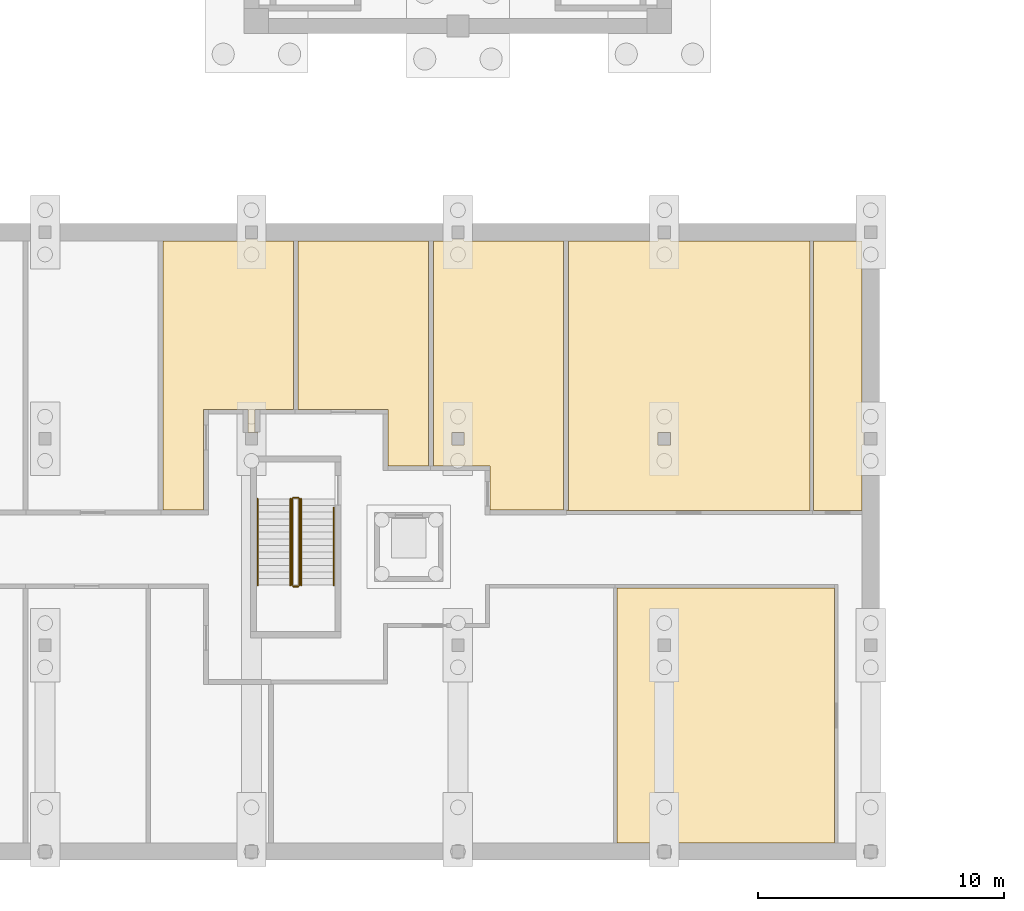
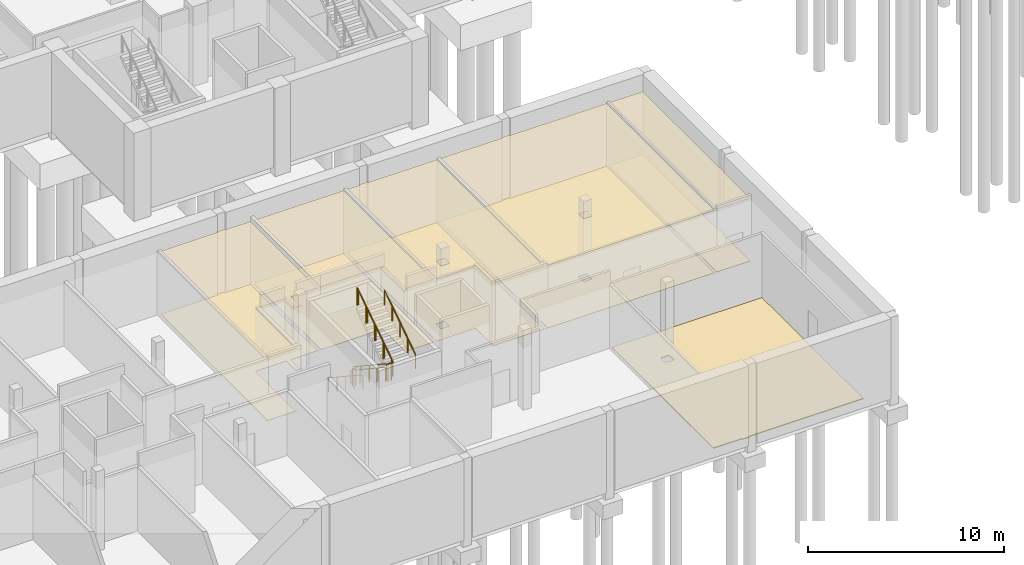
# One storey, part 21 of 33: 11 coverings, 8 railings.
"""IFC4 building model written with IfcOpenShell, lengths in metres."""

from ifc_helpers import new_model, si_unit, direction, frame, origin, origin_2d, place, context, subcontext, project, spatial, polyline, circle, outline, extrude, material, layer, layer_set, type_object, element, save


model = new_model("IFC4")

# Units and contexts
model_context = context("Model", 3, precision=1e-05, world=origin(), true_north=direction((0.0, 1.0)))
body_context = subcontext(model_context, "Body", "Model", "MODEL_VIEW")
ifc_project = project(units=[si_unit("LENGTHUNIT", "METRE"), si_unit("AREAUNIT", "SQUARE_METRE"), si_unit("VOLUMEUNIT", "CUBIC_METRE"), si_unit("PLANEANGLEUNIT", "RADIAN"), si_unit("MASSUNIT", "GRAM", prefix="KILO")], contexts=[model_context])

# Site, building, storey
site_placement = place(None, origin())
site = spatial("IfcSite", under=ifc_project, at=site_placement, CompositionType="ELEMENT")
building_placement = place(site_placement, origin())
building = spatial("IfcBuilding", under=site, at=building_placement, Name="Larchfold Concert Hall", CompositionType="ELEMENT")
storey_placement = place(building_placement, frame((0.0, 0.0, -5.0)))
storey = spatial("IfcBuildingStorey", under=building, at=storey_placement, Name="B1", CompositionType="ELEMENT", Elevation=-5.0)

# Coverings
ifc_material_1 = material(Name="Mineral fibre ceiling tile")
ifc_layer_1 = layer(ifc_material_1, 0.02001953125)
ifc_layer_set_1 = layer_set([ifc_layer_1], Name="Mineral fibre ceiling tile")
covering_type_1 = type_object("IfcCoveringType", Name="Ceiling mineral fibre tile 20", PredefinedType="CEILING", material=ifc_layer_set_1)
covering_1_placement = place(storey_placement, frame((0.0, 0.0, 3.920166015625)))
element("IfcCovering", 1, at=covering_1_placement, inside=storey, type_object=covering_type_1, Name="Ceiling Instrument Store", PredefinedType="CEILING", context=body_context, shape_type="SweptSolid", body=[
    extrude(outline(polyline([(47.0, 14.5), (47.02001953125, 14.4990234375), (47.02001953125, 14.473876953125), (57.0, 14.474853515625), (56.925048828125, 14.47509765625), (56.925048828125, 25.449951171875), (51.25, 25.449951171875), (51.25, 25.5), (50.75, 25.5), (50.75, 25.449951171875), (47.10009765625, 25.449951171875), (47.10009765625, 14.5), (47.0, 14.5)]), holes=[polyline([(50.75, 17.64990234375), (51.25, 17.64990234375), (51.25, 17.14990234375), (50.75, 17.14990234375), (50.75, 17.64990234375)])]), origin(), (0.0, 0.0, 1.0), 0.02001953125),
])
covering_2_placement = place(storey_placement, frame((0.0, 0.0, 3.920166015625)))
element("IfcCovering", 2, at=covering_2_placement, inside=storey, type_object=covering_type_1, Name="Ceiling Music Library Store", PredefinedType="CEILING", context=body_context, shape_type="SweptSolid", body=[
    extrude(outline(polyline([(57.0, 14.47509765625), (59.0498046875, 14.474853515625), (59.0498046875, 17.14990234375), (59.099853515625, 17.14990234375), (59.099853515625, 17.64990234375), (59.0498046875, 17.64990234375), (59.0498046875, 25.449951171875), (57.074951171875, 25.449951171875), (57.074951171875, 14.47509765625), (57.0, 14.47509765625)])), origin(), (0.0, 0.0, 1.0), 0.02001953125),
])
ifc_material_2 = material(Name="Plasterboard ceiling lining")
ifc_layer_2 = layer(ifc_material_2, 0.030029296875)
ifc_layer_set_2 = layer_set([ifc_layer_2], Name="Plasterboard ceiling lining")
covering_type_2 = type_object("IfcCoveringType", Name="Ceiling suspended plasterboard 30", PredefinedType="CEILING", material=ifc_layer_set_2)
covering_3_placement = place(storey_placement, frame((0.0, 0.0, 3.91015625)))
element("IfcCovering", 3, at=covering_3_placement, inside=storey, type_object=covering_type_2, Name="Ceiling Practice Room 14", PredefinedType="CEILING", context=body_context, shape_type="SweptSolid", body=[
    extrude(outline(polyline([(41.5, 16.300048828125), (43.89892578125, 16.299072265625), (43.908935546875, 14.41357421875), (43.908935546875, 14.4990234375), (47.0, 14.4990234375), (46.89990234375, 14.5), (46.89990234375, 25.449951171875), (42.85009765625, 25.449951171875), (42.85009765625, 25.5), (42.35009765625, 25.5), (42.35009765625, 25.449951171875), (41.60009765625, 25.449951171875), (41.60009765625, 16.300048828125), (41.5, 16.300048828125)]), holes=[polyline([(42.35009765625, 17.64990234375), (42.85009765625, 17.64990234375), (42.85009765625, 17.14990234375), (42.35009765625, 17.14990234375), (42.35009765625, 17.64990234375)])]), origin(), (0.0, 0.0, 1.0), 0.030029296875),
])
covering_4_placement = place(storey_placement, frame((0.0, 0.0, 3.91015625)))
element("IfcCovering", 4, at=covering_4_placement, inside=storey, type_object=covering_type_2, Name="Ceiling Practice Room 13", PredefinedType="CEILING", context=body_context, shape_type="SweptSolid", body=[
    extrude(outline(polyline([(36.0, 18.59912109375), (39.7490234375, 18.59912109375), (39.7529296875, 16.199951171875), (39.7529296875, 16.301025390625), (41.39990234375, 16.300048828125), (41.39990234375, 25.449951171875), (36.10009765625, 25.449951171875), (36.10009765625, 18.60009765625), (36.0, 18.59912109375)])), origin(), (0.0, 0.0, 1.0), 0.030029296875),
])
covering_5_placement = place(storey_placement, frame((0.0, 0.0, 3.91015625)))
element("IfcCovering", 5, at=covering_5_placement, inside=storey, type_object=covering_type_2, Name="Ceiling Practice Room 12", PredefinedType="CEILING", context=body_context, shape_type="SweptSolid", body=[
    extrude(outline(polyline([(30.5, 14.4990234375), (32.349853515625, 14.4990234375), (32.2412109375, 14.499267578125), (32.251220703125, 18.599365234375), (34.06005859375, 18.59912109375), (34.06005859375, 17.64990234375), (34.449951171875, 17.64990234375), (34.449951171875, 17.61669921875), (34.46337890625, 17.625), (34.463623046875, 17.669921875), (34.337890625, 17.670166015625), (34.340087890625, 18.599365234375), (36.0, 18.59912109375), (35.89990234375, 18.60009765625), (35.89990234375, 25.449951171875), (34.449951171875, 25.449951171875), (34.449951171875, 25.5), (33.949951171875, 25.5), (33.949951171875, 25.449951171875), (30.60009765625, 25.449951171875), (30.60009765625, 14.5), (30.5, 14.4990234375)])), origin(), (0.0, 0.0, 1.0), 0.030029296875),
])
ifc_material_3 = material(Name="Sealed cement screed")
ifc_layer_3 = layer(ifc_material_3, 0.050048828125)
ifc_layer_set_3 = layer_set([ifc_layer_3], Name="Sealed cement screed")
covering_type_3 = type_object("IfcCoveringType", Name="Floor finish sealed screed 50", PredefinedType="FLOORING", material=ifc_layer_set_3)
covering_6_placement = place(storey_placement, origin())
element("IfcCovering", 6, at=covering_6_placement, inside=storey, type_object=covering_type_3, Name="Floor finish Street Wing Plant Room", PredefinedType="FLOORING", context=body_context, shape_type="SweptSolid", body=[
    extrude(outline(polyline([(50.75, 0.900146484375), (51.25, 0.900146484375), (51.25, 0.9501953125), (57.925048828125, 0.9501953125), (57.925048828125, 11.324951171875), (49.074951171875, 11.324951171875), (49.074951171875, 0.9501953125), (50.75, 0.9501953125), (50.75, 0.900146484375)]), holes=[polyline([(51.25, 9.25), (51.25, 8.75), (50.75, 8.75), (50.75, 9.25), (51.25, 9.25)])]), origin(), (0.0, 0.0, 1.0), 0.050048828125),
])
ifc_material_4 = material(Name="Linoleum sheet")
ifc_layer_4 = layer(ifc_material_4, 0.02001953125)
ifc_layer_set_4 = layer_set([ifc_layer_4], Name="Linoleum sheet")
covering_type_4 = type_object("IfcCoveringType", Name="Floor finish vinyl 20", PredefinedType="FLOORING", material=ifc_layer_set_4)
covering_7_placement = place(storey_placement, origin())
element("IfcCovering", 7, at=covering_7_placement, inside=storey, type_object=covering_type_4, Name="Floor finish Practice Room 14", PredefinedType="FLOORING", context=body_context, shape_type="SweptSolid", body=[
    extrude(outline(polyline([(41.5, 16.300048828125), (43.89892578125, 16.299072265625), (43.908935546875, 14.41357421875), (43.908935546875, 14.4990234375), (47.0, 14.4990234375), (46.89990234375, 14.5), (46.89990234375, 25.449951171875), (42.85009765625, 25.449951171875), (42.85009765625, 25.5), (42.35009765625, 25.5), (42.35009765625, 25.449951171875), (41.60009765625, 25.449951171875), (41.60009765625, 16.300048828125), (41.5, 16.300048828125)]), holes=[polyline([(42.35009765625, 17.64990234375), (42.85009765625, 17.64990234375), (42.85009765625, 17.14990234375), (42.35009765625, 17.14990234375), (42.35009765625, 17.64990234375)])]), origin(), (0.0, 0.0, 1.0), 0.02001953125),
])
covering_8_placement = place(storey_placement, origin())
element("IfcCovering", 8, at=covering_8_placement, inside=storey, type_object=covering_type_4, Name="Floor finish Instrument Store", PredefinedType="FLOORING", context=body_context, shape_type="SweptSolid", body=[
    extrude(outline(polyline([(47.0, 14.5), (47.02001953125, 14.4990234375), (47.02001953125, 14.473876953125), (57.0, 14.474853515625), (56.925048828125, 14.47509765625), (56.925048828125, 25.449951171875), (51.25, 25.449951171875), (51.25, 25.5), (50.75, 25.5), (50.75, 25.449951171875), (47.10009765625, 25.449951171875), (47.10009765625, 14.5), (47.0, 14.5)]), holes=[polyline([(50.75, 17.64990234375), (51.25, 17.64990234375), (51.25, 17.14990234375), (50.75, 17.14990234375), (50.75, 17.64990234375)])]), origin(), (0.0, 0.0, 1.0), 0.02001953125),
])
covering_9_placement = place(storey_placement, origin())
element("IfcCovering", 9, at=covering_9_placement, inside=storey, type_object=covering_type_4, Name="Floor finish Practice Room 13", PredefinedType="FLOORING", context=body_context, shape_type="SweptSolid", body=[
    extrude(outline(polyline([(36.0, 18.59912109375), (39.7490234375, 18.59912109375), (39.7529296875, 16.199951171875), (39.7529296875, 16.301025390625), (41.39990234375, 16.300048828125), (41.39990234375, 25.449951171875), (36.10009765625, 25.449951171875), (36.10009765625, 18.60009765625), (36.0, 18.59912109375)])), origin(), (0.0, 0.0, 1.0), 0.02001953125),
])
covering_10_placement = place(storey_placement, origin())
element("IfcCovering", 10, at=covering_10_placement, inside=storey, type_object=covering_type_4, Name="Floor finish Practice Room 12", PredefinedType="FLOORING", context=body_context, shape_type="SweptSolid", body=[
    extrude(outline(polyline([(30.5, 14.4990234375), (32.349853515625, 14.4990234375), (32.2412109375, 14.499267578125), (32.251220703125, 18.599365234375), (34.06005859375, 18.59912109375), (34.06005859375, 17.64990234375), (34.449951171875, 17.64990234375), (34.449951171875, 17.61669921875), (34.46337890625, 17.625), (34.463623046875, 17.669921875), (34.337890625, 17.670166015625), (34.340087890625, 18.599365234375), (36.0, 18.59912109375), (35.89990234375, 18.60009765625), (35.89990234375, 25.449951171875), (34.449951171875, 25.449951171875), (34.449951171875, 25.5), (33.949951171875, 25.5), (33.949951171875, 25.449951171875), (30.60009765625, 25.449951171875), (30.60009765625, 14.5), (30.5, 14.4990234375)])), origin(), (0.0, 0.0, 1.0), 0.02001953125),
])
covering_11_placement = place(storey_placement, origin())
element("IfcCovering", 11, at=covering_11_placement, inside=storey, type_object=covering_type_4, Name="Floor finish Music Library Store", PredefinedType="FLOORING", context=body_context, shape_type="SweptSolid", body=[
    extrude(outline(polyline([(57.0, 14.47509765625), (59.0498046875, 14.474853515625), (59.0498046875, 17.14990234375), (59.099853515625, 17.14990234375), (59.099853515625, 17.64990234375), (59.0498046875, 17.64990234375), (59.0498046875, 25.449951171875), (57.074951171875, 25.449951171875), (57.074951171875, 14.47509765625), (57.0, 14.47509765625)])), origin(), (0.0, 0.0, 1.0), 0.02001953125),
])

# Railings
ifc_material_5 = material(Name="Stainless steel balustrade", Category="steel")
railing_type_1 = type_object("IfcRailingType", Name="Stair guard 1100", PredefinedType="GUARDRAIL", material=ifc_material_5)
railing_1_placement = place(storey_placement, frame((35.849853515625, 14.949951171875, 0.178466796875)))
element("IfcRailing", 12, at=railing_1_placement, inside=storey, type_object=railing_type_1, Name="Guard GR0049", PredefinedType="GUARDRAIL", context=body_context, shape_type="SweptSolid", body=[
    extrude(circle(Radius=0.02392578125, at=origin_2d()), frame((0.0, 0.0, 1.076171875), z_axis=(0.0, -0.834070780157, 0.551657442339), x_axis=(1.0, 0.0, 0.0)), (0.0, 0.0, 1.0), 4.208251953125),
    extrude(circle(Radius=0.02099609375, at=origin_2d()), origin(), (0.0, 0.0, 1.0), 1.052001953125),
    extrude(circle(Radius=0.02099609375, at=origin_2d()), frame((0.0, -0.87744140625, 0.580322265625)), (0.0, 0.0, 1.0), 1.052001953125),
    extrude(circle(Radius=0.02099609375, at=origin_2d()), frame((0.0, -1.7548828125, 1.16064453125)), (0.0, 0.0, 1.0), 1.052001953125),
    extrude(circle(Radius=0.02099609375, at=origin_2d()), frame((0.0, -2.632568359375, 1.7412109375)), (0.0, 0.0, 1.0), 1.052001953125),
    extrude(circle(Radius=0.02099609375, at=origin_2d()), frame((0.0, -3.510009765625, 2.321533203125)), (0.0, 0.0, 1.0), 1.052001953125),
])
railing_2_placement = place(storey_placement, frame((35.89990234375, 11.389892578125, 2.5)))
element("IfcRailing", 13, at=railing_2_placement, inside=storey, type_object=railing_type_1, Name="Guard GR0050", PredefinedType="GUARDRAIL", context=body_context, shape_type="SweptSolid", body=[
    extrude(circle(Radius=0.02392578125, at=origin_2d()), frame((0.0, 0.0, 1.076171875), z_axis=(1.0, 0.0, 0.0), x_axis=(0.0, 1.0, 0.0)), (0.0, 0.0, 1.0), 0.199951171875),
    extrude(circle(Radius=0.02099609375, at=origin_2d()), origin(), (0.0, 0.0, 1.0), 1.052001953125),
    extrude(circle(Radius=0.02099609375, at=origin_2d()), frame((0.199951171875, 0.0, 0.0)), (0.0, 0.0, 1.0), 1.052001953125),
])
railing_3_placement = place(storey_placement, frame((36.14990234375, 11.43994140625, 2.678466796875)))
element("IfcRailing", 14, at=railing_3_placement, inside=storey, type_object=railing_type_1, Name="Guard GR0051", PredefinedType="GUARDRAIL", context=body_context, shape_type="SweptSolid", body=[
    extrude(circle(Radius=0.02392578125, at=origin_2d()), frame((0.0, 0.0, 1.076171875), z_axis=(0.0, 0.834070780157, 0.551657442339), x_axis=(-1.0, 0.0, 0.0)), (0.0, 0.0, 1.0), 4.208251953125),
    extrude(circle(Radius=0.02099609375, at=origin_2d()), origin(), (0.0, 0.0, 1.0), 1.052001953125),
    extrude(circle(Radius=0.02099609375, at=origin_2d()), frame((0.0, 0.87744140625, 0.580322265625)), (0.0, 0.0, 1.0), 1.052001953125),
    extrude(circle(Radius=0.02099609375, at=origin_2d()), frame((0.0, 1.7548828125, 1.16064453125)), (0.0, 0.0, 1.0), 1.052001953125),
    extrude(circle(Radius=0.02099609375, at=origin_2d()), frame((0.0, 2.632568359375, 1.7412109375)), (0.0, 0.0, 1.0), 1.052001953125),
    extrude(circle(Radius=0.02099609375, at=origin_2d()), frame((0.0, 3.510009765625, 2.321533203125)), (0.0, 0.0, 1.0), 1.052001953125),
])
railing_4_placement = place(storey_placement, frame((35.89990234375, 15.0, 0.0)))
element("IfcRailing", 15, at=railing_4_placement, inside=storey, type_object=railing_type_1, Name="Guard GR0052", PredefinedType="GUARDRAIL", context=body_context, shape_type="SweptSolid", body=[
    extrude(circle(Radius=0.02392578125, at=origin_2d()), frame((0.0, 0.0, 1.076171875), z_axis=(1.0, 0.0, 0.0), x_axis=(0.0, 1.0, 0.0)), (0.0, 0.0, 1.0), 0.199951171875),
    extrude(circle(Radius=0.02099609375, at=origin_2d()), origin(), (0.0, 0.0, 1.0), 1.052001953125),
    extrude(circle(Radius=0.02099609375, at=origin_2d()), frame((0.199951171875, 0.0, 0.0)), (0.0, 0.0, 1.0), 1.052001953125),
])
ifc_material_6 = material(Name="Stainless steel handrail", Category="steel")
railing_type_2 = type_object("IfcRailingType", Name="Stair handrail 900", PredefinedType="HANDRAIL", material=ifc_material_6)
railing_5_placement = place(storey_placement, frame((34.449951171875, 14.949951171875, 0.178466796875)))
element("IfcRailing", 16, at=railing_5_placement, inside=storey, type_object=railing_type_2, Name="Handrail HR0049", PredefinedType="HANDRAIL", context=body_context, shape_type="SweptSolid", body=[
    extrude(circle(Radius=0.02392578125, at=origin_2d()), frame((0.0, 0.0, 0.8759765625), z_axis=(0.0, -0.834070780157, 0.551657442339), x_axis=(1.0, 0.0, 0.0)), (0.0, 0.0, 1.0), 4.208251953125),
    extrude(circle(Radius=0.02099609375, at=origin_2d()), origin(), (0.0, 0.0, 1.0), 0.851806640625),
    extrude(circle(Radius=0.02099609375, at=origin_2d()), frame((0.0, -0.87744140625, 0.580322265625)), (0.0, 0.0, 1.0), 0.851806640625),
    extrude(circle(Radius=0.02099609375, at=origin_2d()), frame((0.0, -1.7548828125, 1.16064453125)), (0.0, 0.0, 1.0), 0.851806640625),
    extrude(circle(Radius=0.02099609375, at=origin_2d()), frame((0.0, -2.632568359375, 1.7412109375)), (0.0, 0.0, 1.0), 0.851806640625),
    extrude(circle(Radius=0.02099609375, at=origin_2d()), frame((0.0, -3.510009765625, 2.321533203125)), (0.0, 0.0, 1.0), 0.851806640625),
])
railing_6_placement = place(storey_placement, frame((37.5498046875, 11.43994140625, 2.678466796875)))
element("IfcRailing", 17, at=railing_6_placement, inside=storey, type_object=railing_type_2, Name="Handrail HR0050", PredefinedType="HANDRAIL", context=body_context, shape_type="SweptSolid", body=[
    extrude(circle(Radius=0.02392578125, at=origin_2d()), frame((0.0, 0.0, 0.8759765625), z_axis=(0.0, 0.834076964798, 0.551648091443), x_axis=(-1.0, 0.0, 0.0)), (0.0, 0.0, 1.0), 3.788818359375),
    extrude(circle(Radius=0.02099609375, at=origin_2d()), origin(), (0.0, 0.0, 1.0), 0.851806640625),
    extrude(circle(Radius=0.02099609375, at=origin_2d()), frame((0.0, 0.7900390625, 0.5224609375)), (0.0, 0.0, 1.0), 0.851806640625),
    extrude(circle(Radius=0.02099609375, at=origin_2d()), frame((0.0, 1.580078125, 1.044921875)), (0.0, 0.0, 1.0), 0.851806640625),
    extrude(circle(Radius=0.02099609375, at=origin_2d()), frame((0.0, 2.3701171875, 1.567626953125)), (0.0, 0.0, 1.0), 0.851806640625),
    extrude(circle(Radius=0.02099609375, at=origin_2d()), frame((0.0, 3.16015625, 2.090087890625)), (0.0, 0.0, 1.0), 0.851806640625),
])
railing_7_placement = place(storey_placement, frame((35.77978515625, 14.949951171875, 0.178466796875)))
element("IfcRailing", 18, at=railing_7_placement, inside=storey, type_object=railing_type_2, Name="Handrail HR0051", PredefinedType="HANDRAIL", context=body_context, shape_type="SweptSolid", body=[
    extrude(circle(Radius=0.02392578125, at=origin_2d()), frame((0.0, 0.0, 0.8759765625), z_axis=(0.0, -0.834070780157, 0.551657442339), x_axis=(1.0, 0.0, 0.0)), (0.0, 0.0, 1.0), 4.208251953125),
    extrude(circle(Radius=0.02099609375, at=origin_2d()), origin(), (0.0, 0.0, 1.0), 0.851806640625),
    extrude(circle(Radius=0.02099609375, at=origin_2d()), frame((0.0, -0.87744140625, 0.580322265625)), (0.0, 0.0, 1.0), 0.851806640625),
    extrude(circle(Radius=0.02099609375, at=origin_2d()), frame((0.0, -1.7548828125, 1.16064453125)), (0.0, 0.0, 1.0), 0.851806640625),
    extrude(circle(Radius=0.02099609375, at=origin_2d()), frame((0.0, -2.632568359375, 1.7412109375)), (0.0, 0.0, 1.0), 0.851806640625),
    extrude(circle(Radius=0.02099609375, at=origin_2d()), frame((0.0, -3.510009765625, 2.321533203125)), (0.0, 0.0, 1.0), 0.851806640625),
])
railing_8_placement = place(storey_placement, frame((36.219970703125, 11.43994140625, 2.678466796875)))
element("IfcRailing", 19, at=railing_8_placement, inside=storey, type_object=railing_type_2, Name="Handrail HR0052", PredefinedType="HANDRAIL", context=body_context, shape_type="SweptSolid", body=[
    extrude(circle(Radius=0.02392578125, at=origin_2d()), frame((0.0, 0.0, 0.8759765625), z_axis=(0.0, 0.834070780157, 0.551657442339), x_axis=(-1.0, 0.0, 0.0)), (0.0, 0.0, 1.0), 4.208251953125),
    extrude(circle(Radius=0.02099609375, at=origin_2d()), origin(), (0.0, 0.0, 1.0), 0.851806640625),
    extrude(circle(Radius=0.02099609375, at=origin_2d()), frame((0.0, 0.87744140625, 0.580322265625)), (0.0, 0.0, 1.0), 0.851806640625),
    extrude(circle(Radius=0.02099609375, at=origin_2d()), frame((0.0, 1.7548828125, 1.16064453125)), (0.0, 0.0, 1.0), 0.851806640625),
    extrude(circle(Radius=0.02099609375, at=origin_2d()), frame((0.0, 2.632568359375, 1.7412109375)), (0.0, 0.0, 1.0), 0.851806640625),
    extrude(circle(Radius=0.02099609375, at=origin_2d()), frame((0.0, 3.510009765625, 2.321533203125)), (0.0, 0.0, 1.0), 0.851806640625),
])

save(model, "model.ifc")
